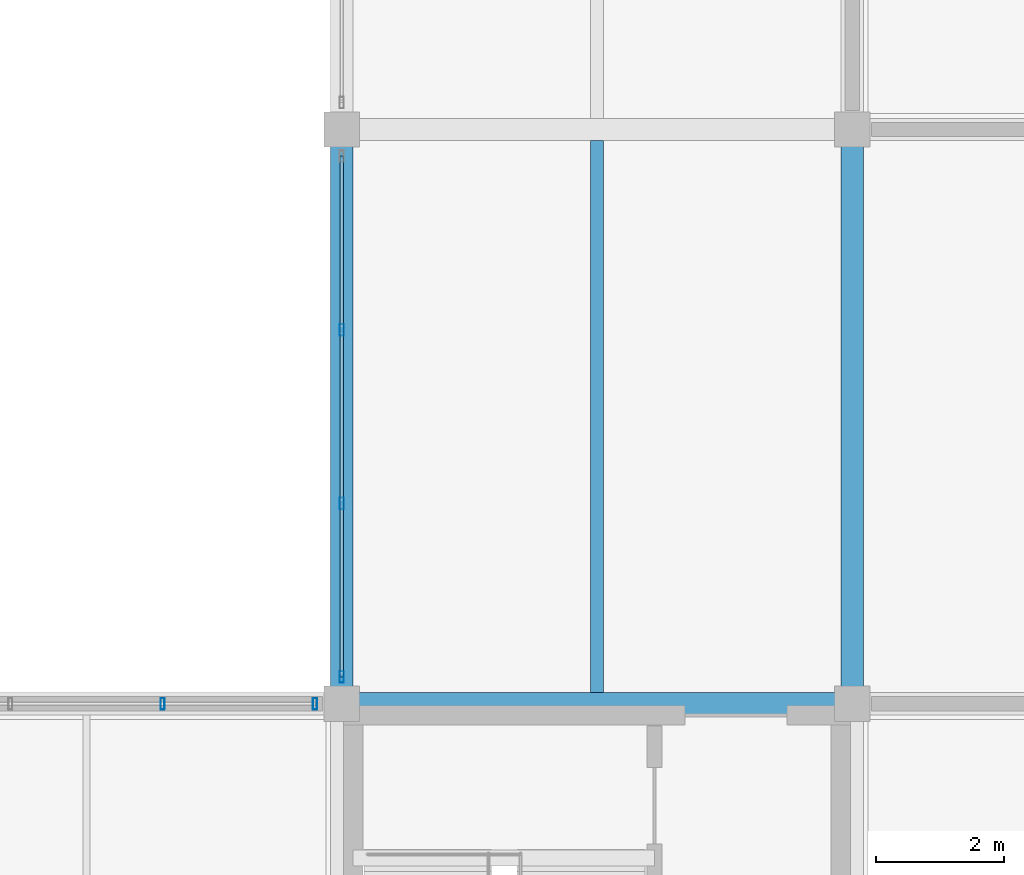
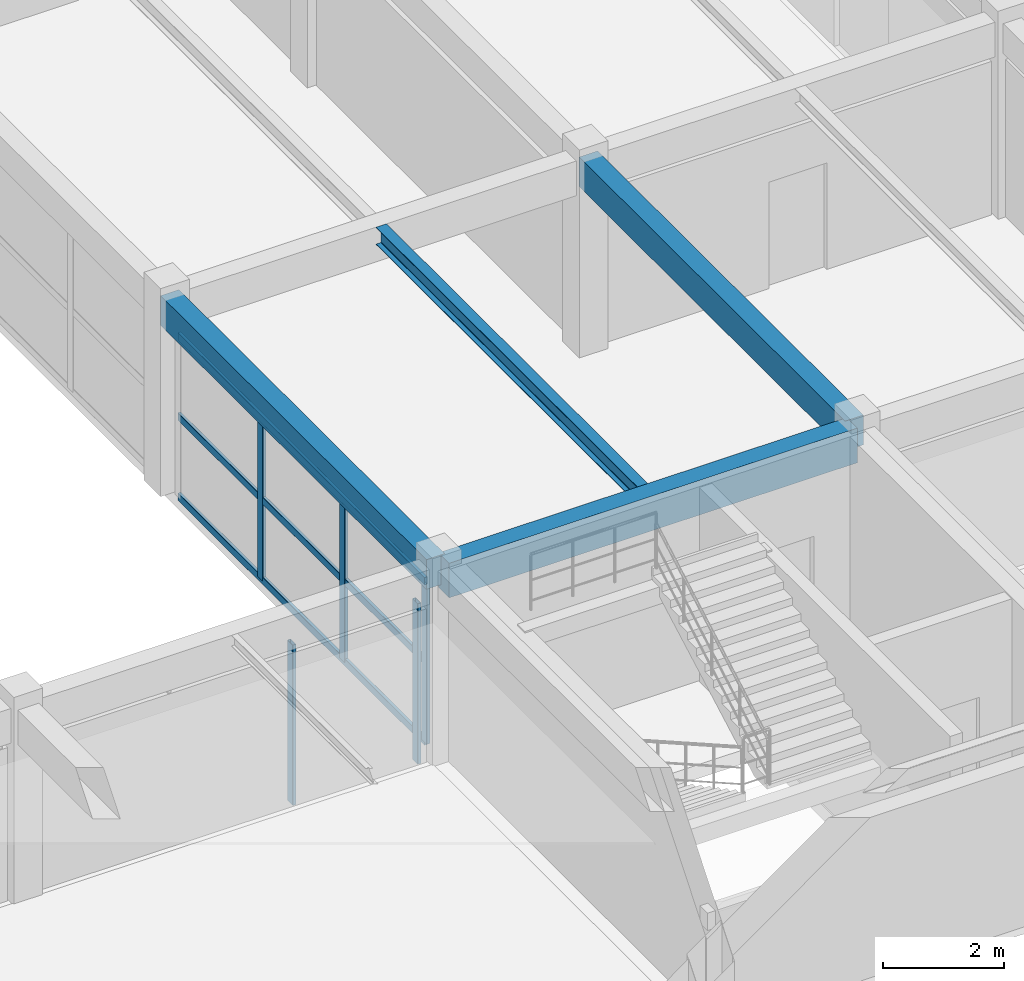
# One storey, part 18 of 63: 8 members, 4 beams, 2 elements without a shape of their own.
"""IFC4 building model written with IfcOpenShell, lengths in metres."""

from ifc_helpers import new_model, si_unit, direction, frame, origin, origin_2d, place, context, subcontext, project, spatial, rectangle, hollow_rectangle, i_section, extrude, material, material_profile, profile_set, type_object, element, aggregate, save


model = new_model("IFC4")

# Units and contexts
model_context = context("Model", 3, precision=1e-05, world=origin(), true_north=direction((0.0, 1.0)))
body_context = subcontext(model_context, "Body", "Model", "MODEL_VIEW")
ifc_project = project(units=[si_unit("LENGTHUNIT", "METRE"), si_unit("AREAUNIT", "SQUARE_METRE"), si_unit("VOLUMEUNIT", "CUBIC_METRE"), si_unit("PLANEANGLEUNIT", "RADIAN"), si_unit("MASSUNIT", "GRAM", prefix="KILO")], contexts=[model_context])

# Site, building, storey
site_placement = place(None, origin())
site = spatial("IfcSite", under=ifc_project, at=site_placement, CompositionType="ELEMENT")
building_placement = place(site_placement, origin())
building = spatial("IfcBuilding", under=site, at=building_placement, Name="Varnabhumi Central Station", CompositionType="ELEMENT")
storey_placement = place(building_placement, frame((0.0, 0.0, 20.39990234375)))
storey = spatial("IfcBuildingStorey", under=building, at=storey_placement, Name="L04", CompositionType="ELEMENT", Elevation=20.39990234375)

# Beams
ifc_material_1 = material(Name="Concrete M40", Category="concrete")
ifc_material_profile_1 = material_profile(ifc_material_1, rectangle(XDim=0.35009765625, YDim=0.60009765625, at=origin_2d()), Name="Concrete M40", Category="concrete")
ifc_profile_set_1 = profile_set([ifc_material_profile_1], Name="Concrete M40")
beam_type_1 = type_object("IfcBeamType", Name="BM-RC-350x600", PredefinedType="BEAM", material=ifc_profile_set_1)
for number, where, z_axis, x_axis, name in (
    (1, (144.0, 9.10009765625, 3.6201171875), (0.0, 1.0, 0.0), (-1.0, 0.0, 0.0), "Beam L04-19:B-C"),
    (2, (152.0, 9.10009765625, 3.6201171875), (0.0, 1.0, 0.0), (-1.0, 0.0, 0.0), "Beam L04-20:B-C"),
):
    element("IfcBeam", number, at=place(storey_placement, frame(where, z_axis=z_axis, x_axis=x_axis)), inside=storey, type_object=beam_type_1, Name=name, PredefinedType="BEAM", context=body_context, shape_type="SweptSolid", body=[
        extrude(rectangle(XDim=0.35009765625, YDim=0.60009765625, at=origin_2d()), origin(), (0.0, 0.0, 1.0), 8.7998046875),
    ])
ifc_material_profile_2 = material_profile(ifc_material_1, rectangle(XDim=0.35009765625, YDim=0.699951171875, at=origin_2d()), Name="Concrete M40", Category="concrete")
ifc_profile_set_2 = profile_set([ifc_material_profile_2], Name="Concrete M40")
beam_type_2 = type_object("IfcBeamType", Name="BM-RC-350x700", PredefinedType="BEAM", material=ifc_profile_set_2)
beam_1_placement = place(storey_placement, frame((144.10009765625, 9.0, 3.570068359375), z_axis=(1.0, 0.0, 0.0), x_axis=(0.0, 1.0, 0.0)))
element("IfcBeam", 3, at=beam_1_placement, inside=storey, type_object=beam_type_2, Name="Beam L04-B:19-20", PredefinedType="BEAM", context=body_context, shape_type="SweptSolid", body=[
    extrude(rectangle(XDim=0.35009765625, YDim=0.699951171875, at=origin_2d()), origin(), (0.0, 0.0, 1.0), 7.7998046875),
])
ifc_material_2 = material(Name="Structural steel E350", Category="steel")
ifc_material_profile_3 = material_profile(ifc_material_2, i_section(OverallWidth=0.199951171875, OverallDepth=0.35009765625, WebThickness=0.008056640625, FlangeThickness=0.011474609375, FilletRadius=0.011962890625, at=origin_2d()), Name="Structural steel E350", Category="steel")
ifc_profile_set_3 = profile_set([ifc_material_profile_3], Name="Structural steel E350")
beam_type_3 = type_object("IfcBeamType", Name="BM-STL-ISWB350", PredefinedType="JOIST", material=ifc_profile_set_3)
beam_2_placement = place(storey_placement, frame((148.0, 9.175048828125, 3.7451171875), z_axis=(0.0, 1.0, 0.0), x_axis=(-1.0, 0.0, 0.0)))
element("IfcBeam", 4, at=beam_2_placement, inside=storey, type_object=beam_type_3, Name="Secondary Joist L04-19/20:B-C", PredefinedType="JOIST", context=body_context, shape_type="SweptSolid", body=[
    extrude(i_section(OverallWidth=0.199951171875, OverallDepth=0.35009765625, WebThickness=0.008056640625, FlangeThickness=0.011474609375, FilletRadius=0.011962890625, at=origin_2d()), origin(), (0.0, 0.0, 1.0), 8.64990234375),
])

# Curtain wall, members
ifc_material_3 = material(Name="Anodised aluminium 6063-T6", Category="aluminium")
curtain_wall_type = type_object("IfcCurtainWallType", Name="CW-PATIO-LOGGIA-L3", PredefinedType="NOTDEFINED", material=ifc_material_3)
curtain_wall_1_placement = place(storey_placement, origin())
curtain_wall_1 = element("IfcCurtainWall", 5, at=curtain_wall_1_placement, inside=storey, type_object=curtain_wall_type, Name="Curtain Wall CW-SP4W1", PredefinedType="NOTDEFINED")
ifc_material_profile_4 = material_profile(ifc_material_3, hollow_rectangle(XDim=0.06494140625, YDim=0.179931640625, WallThickness=0.00390625, InnerFilletRadius=0.001953125, OuterFilletRadius=0.006103515625, at=origin_2d()), Name="Anodised aluminium 6063-T6", Category="aluminium")
ifc_profile_set_4 = profile_set([ifc_material_profile_4], Name="Anodised aluminium 6063-T6")
member_type_1 = type_object("IfcMemberType", Name="CW-MUL-180", PredefinedType="MULLION", material=ifc_profile_set_4)
member_1_placement = place(storey_placement, frame((144.0, 9.419921875, 0.0), z_axis=(0.0, 0.0, 1.0), x_axis=(1.0, 0.0, 0.0)))
member_1 = element("IfcMember", 6, at=member_1_placement, type_object=member_type_1, Name="Curtain Wall Mullion CW-SP4W1-M1", PredefinedType="MULLION", context=body_context, shape_type="SweptSolid", body=[
    extrude(hollow_rectangle(XDim=0.06494140625, YDim=0.179931640625, WallThickness=0.00390625, InnerFilletRadius=0.001953125, OuterFilletRadius=0.006103515625, at=origin_2d()), origin(), (0.0, 0.0, 1.0), 3.239990234375),
])
member_2_placement = place(storey_placement, frame((144.0, 12.139892578125, 0.0), z_axis=(0.0, 0.0, 1.0), x_axis=(1.0, 0.0, 0.0)))
member_2 = element("IfcMember", 7, at=member_2_placement, type_object=member_type_1, Name="Curtain Wall Mullion CW-SP4W1-M2", PredefinedType="MULLION", context=body_context, shape_type="SweptSolid", body=[
    extrude(hollow_rectangle(XDim=0.06494140625, YDim=0.179931640625, WallThickness=0.00390625, InnerFilletRadius=0.001953125, OuterFilletRadius=0.006103515625, at=origin_2d()), origin(), (0.0, 0.0, 1.0), 3.239990234375),
])
member_3_placement = place(storey_placement, frame((144.0, 14.860107421875, 0.0), z_axis=(0.0, 0.0, 1.0), x_axis=(1.0, 0.0, 0.0)))
member_3 = element("IfcMember", 8, at=member_3_placement, type_object=member_type_1, Name="Curtain Wall Mullion CW-SP4W1-M3", PredefinedType="MULLION", context=body_context, shape_type="SweptSolid", body=[
    extrude(hollow_rectangle(XDim=0.06494140625, YDim=0.179931640625, WallThickness=0.00390625, InnerFilletRadius=0.001953125, OuterFilletRadius=0.006103515625, at=origin_2d()), origin(), (0.0, 0.0, 1.0), 3.239990234375),
])

curtain_wall_2_placement = place(storey_placement, origin())
curtain_wall_2 = element("IfcCurtainWall", 9, at=curtain_wall_2_placement, inside=storey, type_object=curtain_wall_type, Name="Curtain Wall CW-SP4S4", PredefinedType="NOTDEFINED")
member_4_placement = place(storey_placement, frame((141.193359375, 9.0, 0.0), z_axis=(0.0, 0.0, 1.0), x_axis=(1.0, 0.0, 0.0)))
member_4 = element("IfcMember", 10, at=member_4_placement, type_object=member_type_1, Name="Curtain Wall Mullion CW-SP4S4-M3", PredefinedType="MULLION", context=body_context, shape_type="SweptSolid", body=[
    extrude(hollow_rectangle(XDim=0.06494140625, YDim=0.179931640625, WallThickness=0.00390625, InnerFilletRadius=0.001953125, OuterFilletRadius=0.006103515625, at=origin_2d()), origin(), (0.0, 0.0, 1.0), 3.239990234375),
])
member_5_placement = place(storey_placement, frame((143.580078125, 9.0, 0.0), z_axis=(0.0, 0.0, 1.0), x_axis=(1.0, 0.0, 0.0)))
member_5 = element("IfcMember", 11, at=member_5_placement, type_object=member_type_1, Name="Curtain Wall Mullion CW-SP4S4-M4", PredefinedType="MULLION", context=body_context, shape_type="SweptSolid", body=[
    extrude(hollow_rectangle(XDim=0.06494140625, YDim=0.179931640625, WallThickness=0.00390625, InnerFilletRadius=0.001953125, OuterFilletRadius=0.006103515625, at=origin_2d()), origin(), (0.0, 0.0, 1.0), 3.239990234375),
])
aggregate(curtain_wall_2, [member_4, member_5])

# Member
ifc_material_profile_5 = material_profile(ifc_material_3, hollow_rectangle(XDim=0.06005859375, YDim=0.14990234375, WallThickness=0.00390625, InnerFilletRadius=0.001953125, OuterFilletRadius=0.006103515625, at=origin_2d()), Name="Anodised aluminium 6063-T6", Category="aluminium")
ifc_profile_set_5 = profile_set([ifc_material_profile_5], Name="Anodised aluminium 6063-T6")
member_type_2 = type_object("IfcMemberType", Name="CW-TR-150", PredefinedType="USERDEFINED", material=ifc_profile_set_5)
member_6_placement = place(storey_placement, frame((144.0, 9.419921875, 0.0), z_axis=(0.0, 1.0, 0.0), x_axis=(-1.0, 0.0, 0.0)))
member_6 = element("IfcMember", 12, at=member_6_placement, type_object=member_type_2, Name="Curtain Wall Transom CW-SP4W1-T1", ObjectType="TRANSOM", PredefinedType="USERDEFINED", context=body_context, shape_type="SweptSolid", body=[
    extrude(hollow_rectangle(XDim=0.06005859375, YDim=0.14990234375, WallThickness=0.00390625, InnerFilletRadius=0.001953125, OuterFilletRadius=0.006103515625, at=origin_2d()), origin(), (0.0, 0.0, 1.0), 8.16015625),
])

member_7_placement = place(storey_placement, frame((144.0, 9.419921875, 1.6201171875), z_axis=(0.0, 1.0, 0.0), x_axis=(-1.0, 0.0, 0.0)))
member_7 = element("IfcMember", 13, at=member_7_placement, type_object=member_type_2, Name="Curtain Wall Transom CW-SP4W1-T2", ObjectType="TRANSOM", PredefinedType="USERDEFINED", context=body_context, shape_type="SweptSolid", body=[
    extrude(hollow_rectangle(XDim=0.06005859375, YDim=0.14990234375, WallThickness=0.00390625, InnerFilletRadius=0.001953125, OuterFilletRadius=0.006103515625, at=origin_2d()), origin(), (0.0, 0.0, 1.0), 8.16015625),
])

member_8_placement = place(storey_placement, frame((144.0, 9.419921875, 3.239990234375), z_axis=(0.0, 1.0, 0.0), x_axis=(-1.0, 0.0, 0.0)))
member_8 = element("IfcMember", 14, at=member_8_placement, type_object=member_type_2, Name="Curtain Wall Transom CW-SP4W1-T3", ObjectType="TRANSOM", PredefinedType="USERDEFINED", context=body_context, shape_type="SweptSolid", body=[
    extrude(hollow_rectangle(XDim=0.06005859375, YDim=0.14990234375, WallThickness=0.00390625, InnerFilletRadius=0.001953125, OuterFilletRadius=0.006103515625, at=origin_2d()), origin(), (0.0, 0.0, 1.0), 8.16015625),
])

aggregate(curtain_wall_1, [member_1, member_2, member_3, member_6, member_7, member_8])

save(model, "model.ifc")
